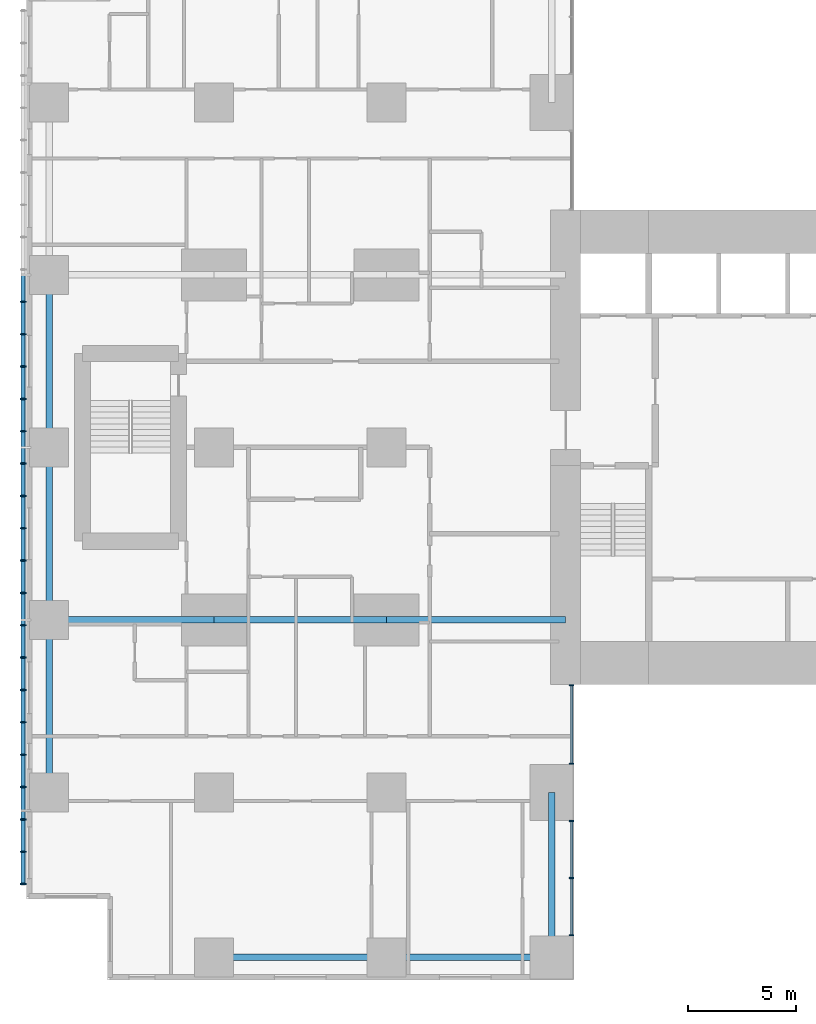
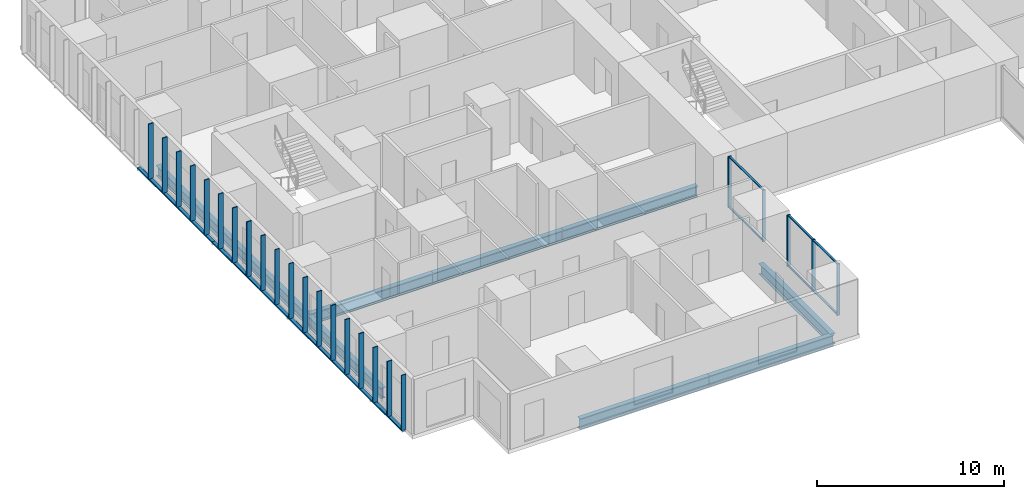
# One storey, part 2 of 20: 33 members, 9 beams, 2 elements without a shape of their own.
"""IFC4 building model written with IfcOpenShell, lengths in metres."""

from ifc_helpers import new_model, si_unit, direction, frame, origin, origin_2d, place, context, subcontext, project, spatial, rectangle, hollow_rectangle, i_section, extrude, material, layer, layer_set, material_profile, profile_set, type_object, element, aggregate, save


model = new_model("IFC4")

# Units and contexts
model_context = context("Model", 3, precision=1e-05, world=origin(), true_north=direction((0.0, 1.0)))
body_context = subcontext(model_context, "Body", "Model", "MODEL_VIEW")
ifc_project = project(units=[si_unit("LENGTHUNIT", "METRE"), si_unit("AREAUNIT", "SQUARE_METRE"), si_unit("VOLUMEUNIT", "CUBIC_METRE"), si_unit("PLANEANGLEUNIT", "RADIAN"), si_unit("MASSUNIT", "GRAM", prefix="KILO")], contexts=[model_context])

# Site, building, storey
site_placement = place(None, origin())
site = spatial("IfcSite", under=ifc_project, at=site_placement, CompositionType="ELEMENT")
building_placement = place(site_placement, origin())
building = spatial("IfcBuilding", under=site, at=building_placement, Name="Cleftline Residences", CompositionType="ELEMENT")
storey_placement = place(building_placement, frame((0.0, 0.0, 196.60009765625)))
storey = spatial("IfcBuildingStorey", under=building, at=storey_placement, Name="L51", CompositionType="ELEMENT", Elevation=196.60009765625)

# Members
ifc_material_1 = material(Name="Steel S355, hot-dip galvanised", Category="steel")
ifc_material_profile_1 = material_profile(ifc_material_1, hollow_rectangle(XDim=0.10009765625, YDim=0.199951171875, WallThickness=0.008056640625, InnerFilletRadius=0.008056640625, OuterFilletRadius=0.011962890625, at=origin_2d()))
ifc_profile_set_1 = profile_set([ifc_material_profile_1], Name="Steel S355, hot-dip galvanised")
member_type_1 = type_object("IfcMemberType", Name="BAGUETTE CARRIER RHS 200X100X8", PredefinedType="USERDEFINED", material=ifc_profile_set_1)
for number, where, z_axis, x_axis, name in (
    (1, (-0.85009765625, 32.0, -0.050048828125), (0.0, -1.0, 0.0), (0.0, 0.0, 1.0), "Baguette carrier"),
    (2, (-0.85009765625, 24.0, -0.050048828125), (0.0, -1.0, 0.0), (0.0, 0.0, 1.0), "Baguette carrier"),
):
    element("IfcMember", number, at=place(storey_placement, frame(where, z_axis=z_axis, x_axis=x_axis)), inside=storey, type_object=member_type_1, Name=name, ObjectType="BAGUETTE CARRIER", PredefinedType="USERDEFINED", context=body_context, shape_type="SweptSolid", body=[
        extrude(hollow_rectangle(XDim=0.10009765625, YDim=0.199951171875, WallThickness=0.008056640625, InnerFilletRadius=0.008056640625, OuterFilletRadius=0.011962890625, at=origin_2d()), origin(), (0.0, 0.0, 1.0), 8.0),
    ])
member_1_placement = place(storey_placement, frame((-0.85009765625, 16.0, -0.050048828125), z_axis=(0.0, -1.0, 0.0), x_axis=(0.0, 0.0, 1.0)))
element("IfcMember", 3, at=member_1_placement, inside=storey, type_object=member_type_1, Name="Baguette carrier", ObjectType="BAGUETTE CARRIER", PredefinedType="USERDEFINED", context=body_context, shape_type="SweptSolid", body=[
    extrude(hollow_rectangle(XDim=0.10009765625, YDim=0.199951171875, WallThickness=0.008056640625, InnerFilletRadius=0.008056640625, OuterFilletRadius=0.011962890625, at=origin_2d()), origin(), (0.0, 0.0, 1.0), 12.300048828125),
])

# Beams
ifc_material_2 = material(Name="Steel S355", Category="steel")
ifc_material_profile_2 = material_profile(ifc_material_2, i_section(OverallWidth=0.300048828125, OverallDepth=0.699951171875, WebThickness=0.01708984375, FlangeThickness=0.031982421875, FilletRadius=0.027099609375, at=origin_2d()))
ifc_profile_set_2 = profile_set([ifc_material_profile_2], Name="Steel S355")
beam_type_1 = type_object("IfcBeamType", Name="BEAM HEB 700", PredefinedType="BEAM", material=ifc_profile_set_2)
for number, where, z_axis, x_axis, name in (
    (4, (0.35009765625, 8.0, -0.60009765625), (0.0, 1.0, 0.0), (-1.0, 0.0, 0.0), "Edge beam"),
    (5, (0.35009765625, 16.0, -0.60009765625), (0.0, 1.0, 0.0), (-1.0, 0.0, 0.0), "Edge beam"),
    (6, (0.35009765625, 24.0, -0.60009765625), (0.0, 1.0, 0.0), (-1.0, 0.0, 0.0), "Edge beam"),
    (7, (8.0, 0.35009765625, -0.60009765625), (1.0, 0.0, 0.0), (0.0, 1.0, 0.0), "Edge beam"),
):
    element("IfcBeam", number, at=place(storey_placement, frame(where, z_axis=z_axis, x_axis=x_axis)), inside=storey, type_object=beam_type_1, Name=name, PredefinedType="BEAM", context=body_context, shape_type="SweptSolid", body=[
        extrude(i_section(OverallWidth=0.300048828125, OverallDepth=0.699951171875, WebThickness=0.01708984375, FlangeThickness=0.031982421875, FilletRadius=0.027099609375, at=origin_2d()), origin(), (0.0, 0.0, 1.0), 8.0),
    ])
for number, where, z_axis, x_axis, name in (
    (8, (16.0, 0.35009765625, -0.60009765625), (1.0, 0.0, 0.0), (0.0, 1.0, 0.0), "Edge beam"),
    (9, (23.64990234375, 0.35009765625, -0.60009765625), (0.0, 1.0, 0.0), (-1.0, 0.0, 0.0), "Edge beam"),
):
    element("IfcBeam", number, at=place(storey_placement, frame(where, z_axis=z_axis, x_axis=x_axis)), inside=storey, type_object=beam_type_1, Name=name, PredefinedType="BEAM", context=body_context, shape_type="SweptSolid", body=[
        extrude(i_section(OverallWidth=0.300048828125, OverallDepth=0.699951171875, WebThickness=0.01708984375, FlangeThickness=0.031982421875, FilletRadius=0.027099609375, at=origin_2d()), origin(), (0.0, 0.0, 1.0), 7.64990234375),
    ])
ifc_material_3 = material(Name="Steel S355", Category="steel")
ifc_material_profile_3 = material_profile(ifc_material_3, i_section(OverallWidth=0.303955078125, OverallDepth=0.716064453125, WebThickness=0.02099609375, FlangeThickness=0.0400390625, FilletRadius=0.027099609375, at=origin_2d()))
ifc_profile_set_3 = profile_set([ifc_material_profile_3], Name="Steel S355")
beam_type_2 = type_object("IfcBeamType", Name="BEAM HEM 700", PredefinedType="BEAM", material=ifc_profile_set_3)
beam_1_placement = place(storey_placement, frame((0.35009765625, 16.0, -0.608154296875), z_axis=(1.0, 0.0, 0.0), x_axis=(0.0, 1.0, 0.0)))
element("IfcBeam", 10, at=beam_1_placement, inside=storey, type_object=beam_type_2, Name="Band beam", PredefinedType="BEAM", context=body_context, shape_type="SweptSolid", body=[
    extrude(i_section(OverallWidth=0.303955078125, OverallDepth=0.716064453125, WebThickness=0.02099609375, FlangeThickness=0.0400390625, FilletRadius=0.027099609375, at=origin_2d()), origin(), (0.0, 0.0, 1.0), 7.64990234375),
])
beam_2_placement = place(storey_placement, frame((8.0, 16.0, -0.608154296875), z_axis=(1.0, 0.0, 0.0), x_axis=(0.0, 1.0, 0.0)))
element("IfcBeam", 11, at=beam_2_placement, inside=storey, type_object=beam_type_2, Name="Band beam", PredefinedType="BEAM", context=body_context, shape_type="SweptSolid", body=[
    extrude(i_section(OverallWidth=0.303955078125, OverallDepth=0.716064453125, WebThickness=0.02099609375, FlangeThickness=0.0400390625, FilletRadius=0.027099609375, at=origin_2d()), origin(), (0.0, 0.0, 1.0), 8.0),
])
beam_3_placement = place(storey_placement, frame((16.0, 16.0, -0.608154296875), z_axis=(1.0, 0.0, 0.0), x_axis=(0.0, 1.0, 0.0)))
element("IfcBeam", 12, at=beam_3_placement, inside=storey, type_object=beam_type_2, Name="Band beam", PredefinedType="BEAM", context=body_context, shape_type="SweptSolid", body=[
    extrude(i_section(OverallWidth=0.303955078125, OverallDepth=0.716064453125, WebThickness=0.02099609375, FlangeThickness=0.0400390625, FilletRadius=0.027099609375, at=origin_2d()), origin(), (0.0, 0.0, 1.0), 8.300048828125),
])

# Curtain wall, members
ifc_material_4 = material(Name="Aluminium framed curtain wall", Category="aluminium")
ifc_layer = layer(ifc_material_4, 0.199951171875)
ifc_layer_set = layer_set([ifc_layer], Name="CW1 CLEFT GLAZING")
curtain_wall_type = type_object("IfcCurtainWallType", Name="CW1 CLEFT GLAZING", PredefinedType="NOTDEFINED", material=ifc_layer_set)
curtain_wall_1_placement = place(storey_placement, origin())
curtain_wall_1 = element("IfcCurtainWall", 13, at=curtain_wall_1_placement, inside=storey, type_object=curtain_wall_type, Name="Curtain wall CW1", PredefinedType="NOTDEFINED")
ifc_material_5 = material(Name="Aluminium mullion", Category="aluminium")
ifc_material_profile_4 = material_profile(ifc_material_5, rectangle(XDim=0.199951171875, YDim=0.06005859375, at=origin_2d()))
ifc_profile_set_4 = profile_set([ifc_material_profile_4], Name="Aluminium mullion")
member_type_2 = type_object("IfcMemberType", Name="CW1 MULLION", PredefinedType="MULLION", material=ifc_profile_set_4)
member_2_placement = place(storey_placement, frame((24.574951171875, 1.3798828125, 0.0), z_axis=(0.0, 0.0, 1.0), x_axis=(-1.0, 0.0, 0.0)))
member_2 = element("IfcMember", 14, at=member_2_placement, type_object=member_type_2, Name="CW1 mullion 1", PredefinedType="MULLION", context=body_context, shape_type="SweptSolid", body=[
    extrude(rectangle(XDim=0.199951171875, YDim=0.06005859375, at=origin_2d()), origin(), (0.0, 0.0, 1.0), 3.349853515625),
])
member_3_placement = place(storey_placement, frame((24.574951171875, 4.02490234375, 0.0), z_axis=(0.0, 0.0, 1.0), x_axis=(-1.0, 0.0, 0.0)))
member_3 = element("IfcMember", 15, at=member_3_placement, type_object=member_type_2, Name="CW1 mullion 2", PredefinedType="MULLION", context=body_context, shape_type="SweptSolid", body=[
    extrude(rectangle(XDim=0.199951171875, YDim=0.06005859375, at=origin_2d()), origin(), (0.0, 0.0, 1.0), 3.349853515625),
])
member_4_placement = place(storey_placement, frame((24.574951171875, 6.669921875, 0.0), z_axis=(0.0, 0.0, 1.0), x_axis=(-1.0, 0.0, 0.0)))
member_4 = element("IfcMember", 16, at=member_4_placement, type_object=member_type_2, Name="CW1 mullion 3", PredefinedType="MULLION", context=body_context, shape_type="SweptSolid", body=[
    extrude(rectangle(XDim=0.199951171875, YDim=0.06005859375, at=origin_2d()), origin(), (0.0, 0.0, 1.0), 3.349853515625),
])

curtain_wall_2_placement = place(storey_placement, origin())
curtain_wall_2 = element("IfcCurtainWall", 17, at=curtain_wall_2_placement, inside=storey, type_object=curtain_wall_type, Name="Curtain wall CW1", PredefinedType="NOTDEFINED")
member_5_placement = place(storey_placement, frame((24.574951171875, 9.330078125, 0.0), z_axis=(0.0, 0.0, 1.0), x_axis=(-1.0, 0.0, 0.0)))
member_5 = element("IfcMember", 18, at=member_5_placement, type_object=member_type_2, Name="CW1 mullion 1", PredefinedType="MULLION", context=body_context, shape_type="SweptSolid", body=[
    extrude(rectangle(XDim=0.199951171875, YDim=0.06005859375, at=origin_2d()), origin(), (0.0, 0.0, 1.0), 3.349853515625),
])
member_6_placement = place(storey_placement, frame((24.574951171875, 12.969970703125, 0.0), z_axis=(0.0, 0.0, 1.0), x_axis=(-1.0, 0.0, 0.0)))
member_6 = element("IfcMember", 19, at=member_6_placement, type_object=member_type_2, Name="CW1 mullion 2", PredefinedType="MULLION", context=body_context, shape_type="SweptSolid", body=[
    extrude(rectangle(XDim=0.199951171875, YDim=0.06005859375, at=origin_2d()), origin(), (0.0, 0.0, 1.0), 3.349853515625),
])

# Member
ifc_material_6 = material(Name="Aluminium transom", Category="aluminium")
ifc_material_profile_5 = material_profile(ifc_material_6, rectangle(XDim=0.1201171875, YDim=0.06005859375, at=origin_2d()))
ifc_profile_set_5 = profile_set([ifc_material_profile_5], Name="Aluminium transom")
member_type_3 = type_object("IfcMemberType", Name="CW1 TRANSOM", PredefinedType="USERDEFINED", material=ifc_profile_set_5)
member_7_placement = place(storey_placement, frame((24.574951171875, 1.409912109375, 0.02978515625), z_axis=(0.0, 1.0, 0.0), x_axis=(-1.0, 0.0, 0.0)))
member_7 = element("IfcMember", 20, at=member_7_placement, type_object=member_type_3, Name="CW1 transom 1.1", ObjectType="TRANSOM", PredefinedType="USERDEFINED", context=body_context, shape_type="SweptSolid", body=[
    extrude(rectangle(XDim=0.1201171875, YDim=0.06005859375, at=origin_2d()), origin(), (0.0, 0.0, 1.0), 2.585205078125),
])

member_8_placement = place(storey_placement, frame((24.574951171875, 1.409912109375, 3.31982421875), z_axis=(0.0, 1.0, 0.0), x_axis=(-1.0, 0.0, 0.0)))
member_8 = element("IfcMember", 21, at=member_8_placement, type_object=member_type_3, Name="CW1 transom 1.2", ObjectType="TRANSOM", PredefinedType="USERDEFINED", context=body_context, shape_type="SweptSolid", body=[
    extrude(rectangle(XDim=0.1201171875, YDim=0.06005859375, at=origin_2d()), origin(), (0.0, 0.0, 1.0), 2.585205078125),
])

member_9_placement = place(storey_placement, frame((24.574951171875, 4.054931640625, 0.02978515625), z_axis=(0.0, 1.0, 0.0), x_axis=(-1.0, 0.0, 0.0)))
member_9 = element("IfcMember", 22, at=member_9_placement, type_object=member_type_3, Name="CW1 transom 2.1", ObjectType="TRANSOM", PredefinedType="USERDEFINED", context=body_context, shape_type="SweptSolid", body=[
    extrude(rectangle(XDim=0.1201171875, YDim=0.06005859375, at=origin_2d()), origin(), (0.0, 0.0, 1.0), 2.5849609375),
])

member_10_placement = place(storey_placement, frame((24.574951171875, 4.054931640625, 3.31982421875), z_axis=(0.0, 1.0, 0.0), x_axis=(-1.0, 0.0, 0.0)))
member_10 = element("IfcMember", 23, at=member_10_placement, type_object=member_type_3, Name="CW1 transom 2.2", ObjectType="TRANSOM", PredefinedType="USERDEFINED", context=body_context, shape_type="SweptSolid", body=[
    extrude(rectangle(XDim=0.1201171875, YDim=0.06005859375, at=origin_2d()), origin(), (0.0, 0.0, 1.0), 2.5849609375),
])

aggregate(curtain_wall_1, [member_2, member_3, member_4, member_7, member_8, member_9, member_10])

member_11_placement = place(storey_placement, frame((24.574951171875, 9.360107421875, 0.02978515625), z_axis=(0.0, 1.0, 0.0), x_axis=(-1.0, 0.0, 0.0)))
member_11 = element("IfcMember", 24, at=member_11_placement, type_object=member_type_3, Name="CW1 transom 1.1", ObjectType="TRANSOM", PredefinedType="USERDEFINED", context=body_context, shape_type="SweptSolid", body=[
    extrude(rectangle(XDim=0.1201171875, YDim=0.06005859375, at=origin_2d()), origin(), (0.0, 0.0, 1.0), 3.579833984375),
])

member_12_placement = place(storey_placement, frame((24.574951171875, 9.360107421875, 3.31982421875), z_axis=(0.0, 1.0, 0.0), x_axis=(-1.0, 0.0, 0.0)))
member_12 = element("IfcMember", 25, at=member_12_placement, type_object=member_type_3, Name="CW1 transom 1.2", ObjectType="TRANSOM", PredefinedType="USERDEFINED", context=body_context, shape_type="SweptSolid", body=[
    extrude(rectangle(XDim=0.1201171875, YDim=0.06005859375, at=origin_2d()), origin(), (0.0, 0.0, 1.0), 3.579833984375),
])

aggregate(curtain_wall_2, [member_5, member_6, member_11, member_12])

# Members
ifc_material_7 = material(Name="Extruded terracotta", Category="masonry")
ifc_material_profile_6 = material_profile(ifc_material_7, rectangle(XDim=0.06005859375, YDim=0.300048828125, at=origin_2d()))
ifc_profile_set_6 = profile_set([ifc_material_profile_6], Name="Extruded terracotta")
member_type_4 = type_object("IfcMemberType", Name="TERRACOTTA BAGUETTE 60X300", PredefinedType="USERDEFINED", material=ifc_profile_set_6)
for number, where, z_axis, x_axis, name in (
    (26, (-0.85009765625, 30.75, 0.0), (0.0, 0.0, 1.0), (0.0, 1.0, 0.0), "Terracotta baguette"),
    (27, (-0.85009765625, 29.25, 0.0), (0.0, 0.0, 1.0), (0.0, 1.0, 0.0), "Terracotta baguette"),
    (28, (-0.85009765625, 27.75, 0.0), (0.0, 0.0, 1.0), (0.0, 1.0, 0.0), "Terracotta baguette"),
    (29, (-0.85009765625, 26.25, 0.0), (0.0, 0.0, 1.0), (0.0, 1.0, 0.0), "Terracotta baguette"),
    (30, (-0.85009765625, 24.75, 0.0), (0.0, 0.0, 1.0), (0.0, 1.0, 0.0), "Terracotta baguette"),
    (31, (-0.85009765625, 23.25, 0.0), (0.0, 0.0, 1.0), (0.0, 1.0, 0.0), "Terracotta baguette"),
    (32, (-0.85009765625, 21.75, 0.0), (0.0, 0.0, 1.0), (0.0, 1.0, 0.0), "Terracotta baguette"),
    (33, (-0.85009765625, 20.25, 0.0), (0.0, 0.0, 1.0), (0.0, 1.0, 0.0), "Terracotta baguette"),
    (34, (-0.85009765625, 18.75, 0.0), (0.0, 0.0, 1.0), (0.0, 1.0, 0.0), "Terracotta baguette"),
    (35, (-0.85009765625, 17.25, 0.0), (0.0, 0.0, 1.0), (0.0, 1.0, 0.0), "Terracotta baguette"),
    (36, (-0.85009765625, 15.75, 0.0), (0.0, 0.0, 1.0), (0.0, 1.0, 0.0), "Terracotta baguette"),
    (37, (-0.85009765625, 14.25, 0.0), (0.0, 0.0, 1.0), (0.0, 1.0, 0.0), "Terracotta baguette"),
    (38, (-0.85009765625, 12.75, 0.0), (0.0, 0.0, 1.0), (0.0, 1.0, 0.0), "Terracotta baguette"),
    (39, (-0.85009765625, 11.25, 0.0), (0.0, 0.0, 1.0), (0.0, 1.0, 0.0), "Terracotta baguette"),
    (40, (-0.85009765625, 9.75, 0.0), (0.0, 0.0, 1.0), (0.0, 1.0, 0.0), "Terracotta baguette"),
    (41, (-0.85009765625, 8.25, 0.0), (0.0, 0.0, 1.0), (0.0, 1.0, 0.0), "Terracotta baguette"),
    (42, (-0.85009765625, 6.75, 0.0), (0.0, 0.0, 1.0), (0.0, 1.0, 0.0), "Terracotta baguette"),
    (43, (-0.85009765625, 5.25, 0.0), (0.0, 0.0, 1.0), (0.0, 1.0, 0.0), "Terracotta baguette"),
    (44, (-0.85009765625, 3.75, 0.0), (0.0, 0.0, 1.0), (0.0, 1.0, 0.0), "Terracotta baguette"),
):
    element("IfcMember", number, at=place(storey_placement, frame(where, z_axis=z_axis, x_axis=x_axis)), inside=storey, type_object=member_type_4, Name=name, ObjectType="BAGUETTE", PredefinedType="USERDEFINED", context=body_context, shape_type="SweptSolid", body=[
        extrude(rectangle(XDim=0.06005859375, YDim=0.300048828125, at=origin_2d()), origin(), (0.0, 0.0, 1.0), 3.599853515625),
    ])

save(model, "model.ifc")
